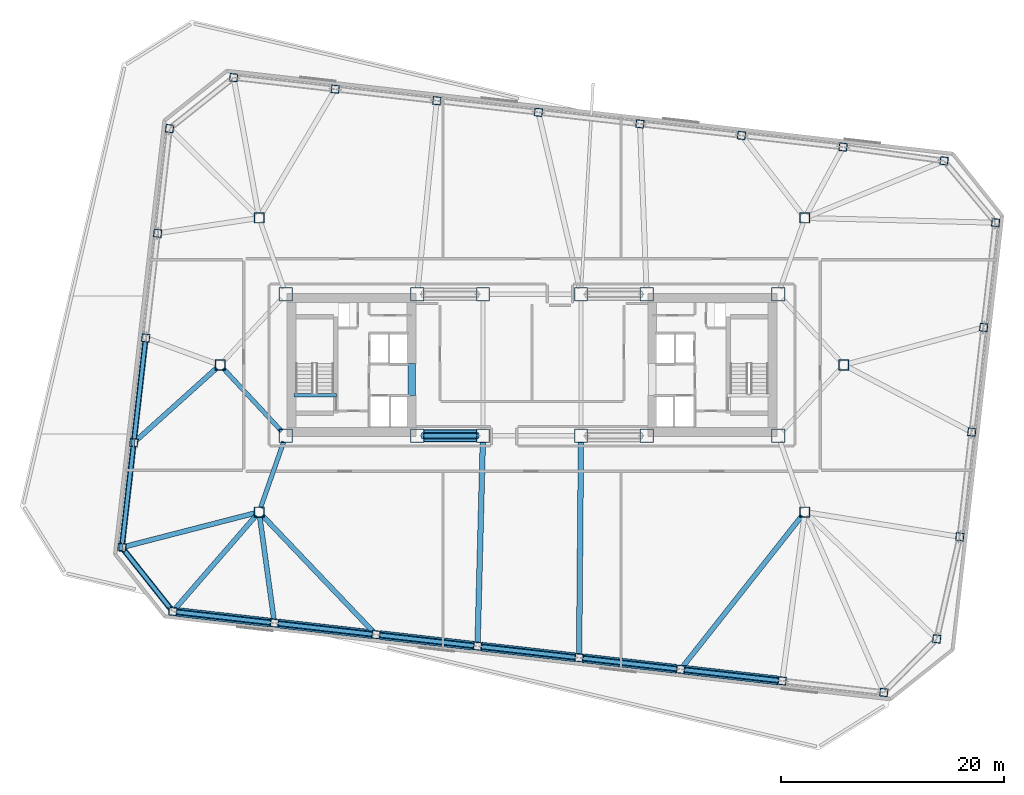
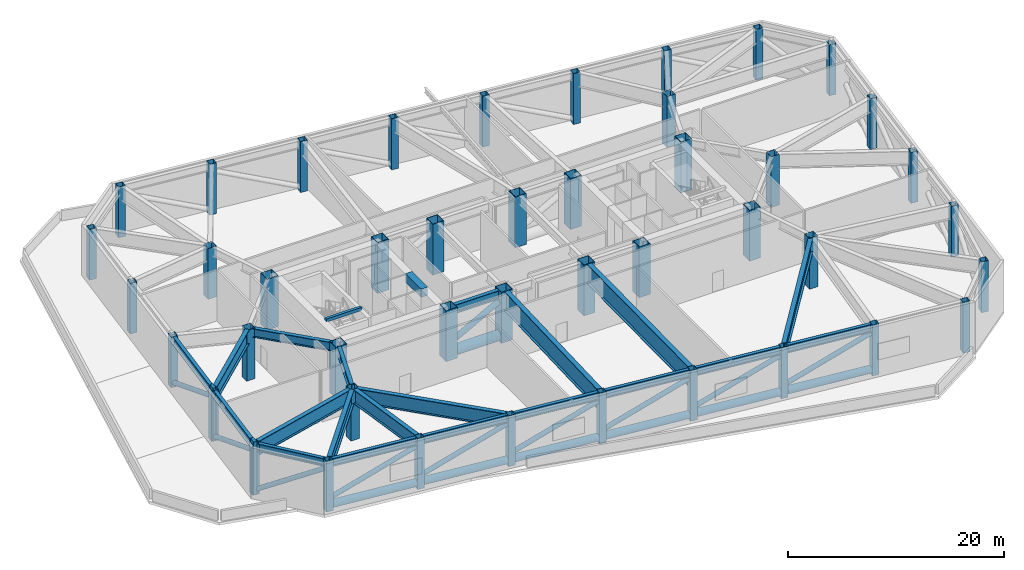
# One storey, part 1 of 14: 44 columns, 22 beams, 19 members.
"""IFC4 building model written with IfcOpenShell, lengths in metres."""

import ifcopenshell
import ifcopenshell.guid

model = None  # the IFC model being written
_history = None  # IfcOwnerHistory: only IFC2X3 demands one
_inside = {}  # id of a spatial element -> (the spatial element, [elements in it])
_under = {}  # id of a project, library or spatial element -> (it, [spatial elements below it])
_declared = {}  # id of a project -> (the project, [libraries it declares])
_typed = {}  # id of a type object -> (the type object, [elements of that type])
_made_of = {}  # id of a material, layer set ... -> (it, [elements and type objects made of it])


def new_model(schema):
    """Start an empty IFC model of exactly this schema.

    Asked for "IFC4X3", IfcOpenShell would pick the latest addendum, in which some entities
    have other attributes; the version numbers below select the first issue.
    IFC2X3 requires an IfcOwnerHistory on every rooted entity: one is made here for all.
    """
    global model, _history
    if schema == "IFC4X3":
        model = ifcopenshell.file(schema_version=(4, 3, 0, 0))
    else:
        model = ifcopenshell.file(schema=schema)
    _inside.clear()
    _under.clear()
    _declared.clear()
    _typed.clear()
    _made_of.clear()
    _history = None
    if model.schema == "IFC2X3":
        org = make("IfcOrganization", Name="unknown")
        user = make(
            "IfcPersonAndOrganization",
            ThePerson=make("IfcPerson", FamilyName="unknown"),
            TheOrganization=org,
        )
        app = make(
            "IfcApplication",
            ApplicationDeveloper=org,
            Version="unknown",
            ApplicationFullName="unknown",
            ApplicationIdentifier="unknown",
        )
        _history = make(
            "IfcOwnerHistory",
            OwningUser=user,
            OwningApplication=app,
            ChangeAction="ADDED",
            CreationDate=0,
        )
    return model


def make(cls, **values):
    """One entity of the class cls with the attributes given. An attribute that is None is left unset."""
    return model.create_entity(
        cls, **{name: value for name, value in values.items() if value is not None}
    )


def rooted(cls, **values):
    """An entity with a GlobalId (a new one), such as an element, a storey or a relation."""
    return make(cls, GlobalId=ifcopenshell.guid.new(), OwnerHistory=_history, **values)


def si_unit(unit_type, name, prefix=None):
    """IfcSIUnit, for example si_unit("LENGTHUNIT", "METRE", prefix="MILLI")."""
    return make("IfcSIUnit", UnitType=unit_type, Prefix=prefix, Name=name)


def assignment(units):
    """IfcUnitAssignment: the units of a project."""
    return None if units is None else make("IfcUnitAssignment", Units=units)


def point(xyz):
    """IfcCartesianPoint."""
    return None if xyz is None else make("IfcCartesianPoint", Coordinates=xyz)


def direction(xyz):
    """IfcDirection."""
    return None if xyz is None else make("IfcDirection", DirectionRatios=xyz)


def frame(location, z_axis=None, x_axis=None):
    """IfcAxis2Placement3D, a coordinate frame: its origin and axes. An axis left out is left unset."""
    return make(
        "IfcAxis2Placement3D",
        Location=point(location),
        Axis=direction(z_axis),
        RefDirection=direction(x_axis),
    )


def frame_2d(location, x_axis=None):
    """IfcAxis2Placement2D, a coordinate frame in the plane: its origin and x axis."""
    return make(
        "IfcAxis2Placement2D", Location=point(location), RefDirection=direction(x_axis)
    )


def origin():
    """The frame at (0, 0, 0) with its axes left unset."""
    return frame((0.0, 0.0, 0.0))


def origin_2d():
    """The frame at (0, 0) in the plane with its x axis left unset."""
    return frame_2d((0.0, 0.0))


def place(relative_to, where):
    """IfcLocalPlacement: puts the frame where relative to a parent placement (None: the world)."""
    return make(
        "IfcLocalPlacement", PlacementRelTo=relative_to, RelativePlacement=where
    )


def context(
    kind, dimensions, precision=None, world=None, true_north=None, identifier=None
):
    """IfcGeometricRepresentationContext, for example the 3D "Model" context."""
    return make(
        "IfcGeometricRepresentationContext",
        ContextIdentifier=identifier,
        ContextType=kind,
        CoordinateSpaceDimension=dimensions,
        Precision=precision,
        WorldCoordinateSystem=world,
        TrueNorth=true_north,
    )


def subcontext(parent, identifier, kind, view, scale=None):
    """IfcGeometricRepresentationSubContext, for example "Body" below "Model"."""
    return make(
        "IfcGeometricRepresentationSubContext",
        ContextIdentifier=identifier,
        ContextType=kind,
        ParentContext=parent,
        TargetScale=scale,
        TargetView=view,
    )


def project(units=None, contexts=None):
    """IfcProject with its units and contexts."""
    return rooted(
        "IfcProject",
        Name="project",
        RepresentationContexts=contexts,
        UnitsInContext=assignment(units),
    )


def spatial(cls, under=None, at=None, **own):
    """A site, building, storey or space (cls), placed at a placement, below another one or the project."""
    s = rooted(cls, ObjectPlacement=at, **own)
    if under is not None:
        _under.setdefault(under.id(), (under, []))[1].append(s)
    return s


def profile(cls, at=None, kind="AREA", **sizes):
    """A parametric profile (cls). Its sizes go by their IFC names, for example OverallWidth=200.0."""
    return make(cls, ProfileType=kind, Position=at, **sizes)


def rectangle(**sizes):
    """IfcRectangleProfileDef."""
    return profile("IfcRectangleProfileDef", **sizes)


def hollow_rectangle(**sizes):
    """IfcRectangleHollowProfileDef."""
    return profile("IfcRectangleHollowProfileDef", **sizes)


def hollow_circle(**sizes):
    """IfcCircleHollowProfileDef."""
    return profile("IfcCircleHollowProfileDef", **sizes)


def i_section(**sizes):
    """IfcIShapeProfileDef."""
    return profile("IfcIShapeProfileDef", **sizes)


def extrude(swept, where, along, depth):
    """IfcExtrudedAreaSolid: the profile swept, set in the frame where, extruded along a direction by depth."""
    return make(
        "IfcExtrudedAreaSolid",
        SweptArea=swept,
        Position=where,
        ExtrudedDirection=direction(along),
        Depth=depth,
    )


def shape(context_of_items, identifier, shape_type, items):
    """IfcShapeRepresentation: the items that make up one representation, for example the "Body"."""
    return make(
        "IfcShapeRepresentation",
        ContextOfItems=context_of_items,
        RepresentationIdentifier=identifier,
        RepresentationType=shape_type,
        Items=items,
    )


def material(Name=None, Category=None):
    """IfcMaterial."""
    return make("IfcMaterial", Name=Name, Category=Category)


def material_profile(
    of_material, cross_section, Name=None, Category=None, Priority=None
):
    """IfcMaterialProfile: a cross section and its material."""
    return make(
        "IfcMaterialProfile",
        Name=Name,
        Material=of_material,
        Profile=cross_section,
        Priority=Priority,
        Category=Category,
    )


def profile_set(profiles, Name=None, composite=None):
    """IfcMaterialProfileSet."""
    return make(
        "IfcMaterialProfileSet",
        Name=Name,
        MaterialProfiles=profiles,
        CompositeProfile=composite,
    )


def made_of(thing, what):
    """Note that an element or type object is made of a material, layer set ...; save() writes the relation."""
    if what is not None:
        _made_of.setdefault(what.id(), (what, []))[1].append(thing)
    return thing


def type_object(cls, material=None, **own):
    """A type object (cls), such as IfcWallType, which elements share."""
    return made_of(rooted(cls, **own), material)


def element(
    cls,
    number,
    at=None,
    inside=None,
    cuts=None,
    type_object=None,
    material=None,
    context=None,
    identifier="Body",
    shape_type=None,
    held_by="IfcProductDefinitionShape",
    body=None,
    shapes=None,
    **own,
):
    """One element of the class cls, such as IfcWall. Its Tag is "e" and its number.

    at: its placement. inside: the storey or other place that contains it. cuts: it is an
    opening in that element (IfcRelVoidsElement). A single representation is given by context,
    identifier, shape_type and body (its items); several are given by shapes. held_by: the class
    of the entity that holds the representations. save() writes the other relations.
    """
    e = rooted(cls, Tag="e%d" % number, ObjectPlacement=at, **own)
    if body is not None:
        shapes = [shape(context, identifier, shape_type, body)]
    if shapes is not None:
        e.Representation = make(held_by, Representations=shapes)
    if inside is not None:
        _inside.setdefault(inside.id(), (inside, []))[1].append(e)
    if cuts is not None:
        rooted(
            "IfcRelVoidsElement", RelatingBuildingElement=cuts, RelatedOpeningElement=e
        )
    if type_object is not None:
        _typed.setdefault(type_object.id(), (type_object, []))[1].append(e)
    return made_of(e, material)


def aggregate(whole, parts):
    """IfcRelAggregates: a whole, such as a stair, and the parts it consists of."""
    return rooted("IfcRelAggregates", RelatingObject=whole, RelatedObjects=parts)


def save(model, path):
    """Write the relations noted so far, then the file.

    IfcRelAggregates (storeys below a building ...), IfcRelContainedInSpatialStructure (elements
    in a storey), IfcRelDefinesByType, IfcRelAssociatesMaterial and IfcRelDeclares: one each for
    every whole, place, type object, material and project.
    """
    for whole, parts in _under.values():
        aggregate(whole, parts)
    for where, things in _inside.values():
        rooted(
            "IfcRelContainedInSpatialStructure",
            RelatedElements=things,
            RelatingStructure=where,
        )
    for kind, things in _typed.values():
        rooted("IfcRelDefinesByType", RelatedObjects=things, RelatingType=kind)
    for what, things in _made_of.values():
        rooted("IfcRelAssociatesMaterial", RelatedObjects=things, RelatingMaterial=what)
    for by, libraries in _declared.values():
        rooted("IfcRelDeclares", RelatingContext=by, RelatedDefinitions=libraries)
    model.write(path)


model = new_model("IFC4")

# Units and contexts
model_context = context("Model", 3, precision=1e-05, world=origin(), true_north=direction((0.0, 1.0)))
body_context = subcontext(model_context, "Body", "Model", "MODEL_VIEW")
ifc_project = project(units=[si_unit("LENGTHUNIT", "METRE"), si_unit("AREAUNIT", "SQUARE_METRE"), si_unit("VOLUMEUNIT", "CUBIC_METRE"), si_unit("PLANEANGLEUNIT", "RADIAN"), si_unit("MASSUNIT", "GRAM", prefix="KILO")], contexts=[model_context])

# Site, building, storey
site_placement = place(None, origin())
site = spatial("IfcSite", under=ifc_project, at=site_placement, CompositionType="ELEMENT")
building_placement = place(site_placement, origin())
building = spatial("IfcBuilding", under=site, at=building_placement, Name="Tavrogorsk Clinical Tower", CompositionType="ELEMENT")
storey_placement = place(building_placement, frame((0.0, 0.0, 83.39990234375)))
storey = spatial("IfcBuildingStorey", under=building, at=storey_placement, Name="L18", CompositionType="ELEMENT", Elevation=83.39990234375)

# Columns
ifc_material_1 = material(Name="Structural steel S440", Category="steel")
ifc_material_profile_1 = material_profile(ifc_material_1, hollow_rectangle(XDim=1.199951171875, YDim=1.199951171875, WallThickness=0.050048828125, at=origin_2d()), Name="BOX-1200x1200x50")
ifc_profile_set_1 = profile_set([ifc_material_profile_1], Name="Structural steel S440")
column_type_1 = type_object("IfcColumnType", Name="MegaCol_BOX1200", PredefinedType="COLUMN", material=ifc_profile_set_1)
for number, where, z_axis, x_axis, name in (
    (1, (-22.10009765625, -6.35009765625, 0.0), (0.0, 0.0, 1.0), (1.0, 0.0, 0.0), "L18 Mega Column MC-W1"),
    (2, (-22.10009765625, 6.35009765625, 0.0), (0.0, 0.0, 1.0), (1.0, 0.0, 0.0), "L18 Mega Column MC-W2"),
    (3, (-10.300048828125, -6.35009765625, 0.0), (0.0, 0.0, 1.0), (1.0, 0.0, 0.0), "L18 Mega Column MC-W3"),
    (4, (-10.300048828125, 6.35009765625, 0.0), (0.0, 0.0, 1.0), (1.0, 0.0, 0.0), "L18 Mega Column MC-W4"),
    (5, (10.300048828125, -6.35009765625, 0.0), (0.0, 0.0, 1.0), (1.0, 0.0, 0.0), "L18 Mega Column MC-E1"),
    (6, (10.300048828125, 6.35009765625, 0.0), (0.0, 0.0, 1.0), (1.0, 0.0, 0.0), "L18 Mega Column MC-E2"),
    (7, (22.10009765625, -6.35009765625, 0.0), (0.0, 0.0, 1.0), (1.0, 0.0, 0.0), "L18 Mega Column MC-E3"),
    (8, (22.10009765625, 6.35009765625, 0.0), (0.0, 0.0, 1.0), (1.0, 0.0, 0.0), "L18 Mega Column MC-E4"),
    (9, (-4.39990234375, -6.35009765625, 0.0), (0.0, 0.0, 1.0), (1.0, 0.0, 0.0), "L18 Mega Column MC-C1"),
    (10, (4.39990234375, -6.35009765625, 0.0), (0.0, 0.0, 1.0), (1.0, 0.0, 0.0), "L18 Mega Column MC-C2"),
    (11, (-4.39990234375, 6.35009765625, 0.0), (0.0, 0.0, 1.0), (1.0, 0.0, 0.0), "L18 Mega Column MC-C3"),
    (12, (4.39990234375, 6.35009765625, 0.0), (0.0, 0.0, 1.0), (1.0, 0.0, 0.0), "L18 Mega Column MC-C4"),
):
    element("IfcColumn", number, at=place(storey_placement, frame(where, z_axis=z_axis, x_axis=x_axis)), inside=storey, type_object=column_type_1, Name=name, PredefinedType="COLUMN", context=body_context, shape_type="SweptSolid", body=[
        extrude(hollow_rectangle(XDim=1.199951171875, YDim=1.199951171875, WallThickness=0.050048828125, at=origin_2d()), origin(), (0.0, 0.0, 1.0), 5.739990234375),
    ])
ifc_material_2 = material(Name="Structural steel S440", Category="steel")
ifc_material_profile_2 = material_profile(ifc_material_2, hollow_rectangle(XDim=0.89990234375, YDim=0.89990234375, WallThickness=0.0400390625, at=origin_2d()), Name="BOX-900x900x40")
ifc_profile_set_2 = profile_set([ifc_material_profile_2], Name="Structural steel S440")
column_type_2 = type_object("IfcColumnType", Name="MegaCol_BOX900", PredefinedType="COLUMN", material=ifc_profile_set_2)
for number, where, z_axis, x_axis, name in (
    (13, (-24.5, -13.199951171875, 0.0), (0.0, 0.0, 1.0), (1.0, 0.0, 0.0), "L18 Spine Pilotis Column MC-P1"),
    (14, (24.5, -13.199951171875, 0.0), (0.0, 0.0, 1.0), (1.0, 0.0, 0.0), "L18 Spine Pilotis Column MC-P2"),
    (15, (-24.5, 13.199951171875, 0.0), (0.0, 0.0, 1.0), (1.0, 0.0, 0.0), "L18 Spine Pilotis Column MC-P3"),
    (16, (24.5, 13.199951171875, 0.0), (0.0, 0.0, 1.0), (1.0, 0.0, 0.0), "L18 Spine Pilotis Column MC-P4"),
    (17, (-28.0, 0.0, 0.0), (0.0, 0.0, 1.0), (1.0, 0.0, 0.0), "L18 Spine Pilotis Column MC-P5"),
    (18, (28.0, 0.0, 0.0), (0.0, 0.0, 1.0), (1.0, 0.0, 0.0), "L18 Spine Pilotis Column MC-P6"),
):
    element("IfcColumn", number, at=place(storey_placement, frame(where, z_axis=z_axis, x_axis=x_axis)), inside=storey, type_object=column_type_2, Name=name, PredefinedType="COLUMN", context=body_context, shape_type="SweptSolid", body=[
        extrude(hollow_rectangle(XDim=0.89990234375, YDim=0.89990234375, WallThickness=0.0400390625, at=origin_2d()), origin(), (0.0, 0.0, 1.0), 5.739990234375),
    ])
ifc_material_3 = material(Name="Structural steel S440", Category="steel")
ifc_material_profile_3 = material_profile(ifc_material_3, hollow_rectangle(XDim=0.699951171875, YDim=0.699951171875, WallThickness=0.031982421875, at=origin_2d()), Name="BOX-700x700x32")
ifc_profile_set_3 = profile_set([ifc_material_profile_3], Name="Structural steel S440")
column_type_3 = type_object("IfcColumnType", Name="PerimCol_B2_BOX700", PredefinedType="COLUMN", material=ifc_profile_set_3)
for number, where, z_axis, x_axis, name in (
    (19, (-32.243896484375, -22.12890625, 0.0), (0.0, 0.0, 1.0), (0.993571855677, -0.113203213768, 0.0), "L18 Perimeter Column S1"),
    (20, (-23.1259765625, -23.167724609375, 0.0), (0.0, 0.0, 1.0), (0.993571855677, -0.113203213768, 0.0), "L18 Perimeter Column S2"),
    (21, (-14.0078125, -24.20654296875, 0.0), (0.0, 0.0, 1.0), (0.993571855677, -0.113203213768, 0.0), "L18 Perimeter Column S3"),
    (22, (-4.8896484375, -25.24560546875, 0.0), (0.0, 0.0, 1.0), (0.993571855677, -0.113203213768, 0.0), "L18 Perimeter Column S4"),
    (23, (4.228515625, -26.284423828125, 0.0), (0.0, 0.0, 1.0), (0.993571855677, -0.113203213768, 0.0), "L18 Perimeter Column S5"),
    (24, (13.3466796875, -27.3232421875, 0.0), (0.0, 0.0, 1.0), (0.993571855677, -0.113203213768, 0.0), "L18 Perimeter Column S6"),
    (25, (22.465087890625, -28.3623046875, 0.0), (0.0, 0.0, 1.0), (0.993571855677, -0.113203213768, 0.0), "L18 Perimeter Column S7"),
    (26, (31.5830078125, -29.40087890625, 0.0), (0.0, 0.0, 1.0), (0.993571855677, -0.113203213768, 0.0), "L18 Perimeter Column S8"),
    (27, (36.99658203125, 18.323486328125, 0.0), (0.0, 0.0, 1.0), (0.993571855677, -0.113203213768, 0.0), "L18 Perimeter Column N1"),
    (28, (27.92578125, 19.567626953125, 0.0), (0.0, 0.0, 1.0), (0.993571855677, -0.113203213768, 0.0), "L18 Perimeter Column N2"),
    (29, (18.8076171875, 20.606689453125, 0.0), (0.0, 0.0, 1.0), (0.993571855677, -0.113203213768, 0.0), "L18 Perimeter Column N3"),
    (30, (9.689697265625, 21.6455078125, 0.0), (0.0, 0.0, 1.0), (0.993571855677, -0.113203213768, 0.0), "L18 Perimeter Column N4"),
    (31, (0.5712890625, 22.684326171875, 0.0), (0.0, 0.0, 1.0), (0.993571855677, -0.113203213768, 0.0), "L18 Perimeter Column N5"),
    (32, (-8.546875, 23.723388671875, 0.0), (0.0, 0.0, 1.0), (0.993571855677, -0.113203213768, 0.0), "L18 Perimeter Column N6"),
    (33, (-17.6650390625, 24.76220703125, 0.0), (0.0, 0.0, 1.0), (0.993571855677, -0.113203213768, 0.0), "L18 Perimeter Column N7"),
    (34, (-26.783203125, 25.801025390625, 0.0), (0.0, 0.0, 1.0), (0.993571855677, -0.113203213768, 0.0), "L18 Perimeter Column N8"),
    (35, (36.335693359375, -24.591796875, 0.0), (0.0, 0.0, 1.0), (0.993571855677, -0.113203213768, 0.0), "L18 Perimeter Column E1"),
    (36, (38.4091796875, -15.423828125, 0.0), (0.0, 0.0, 1.0), (0.993571855677, -0.113203213768, 0.0), "L18 Perimeter Column E2"),
    (37, (39.47998046875, -6.024658203125, 0.0), (0.0, 0.0, 1.0), (0.993571855677, -0.113203213768, 0.0), "L18 Perimeter Column E3"),
    (38, (40.551025390625, 3.37451171875, 0.0), (0.0, 0.0, 1.0), (0.993571855677, -0.113203213768, 0.0), "L18 Perimeter Column E4"),
    (39, (41.621826171875, 12.773681640625, 0.0), (0.0, 0.0, 1.0), (0.993571855677, -0.113203213768, 0.0), "L18 Perimeter Column E5"),
    (40, (-32.538330078125, 21.22314453125, 0.0), (0.0, 0.0, 1.0), (0.993571855677, -0.113203213768, 0.0), "L18 Perimeter Column W1"),
    (41, (-33.609130859375, 11.823974609375, 0.0), (0.0, 0.0, 1.0), (0.993571855677, -0.113203213768, 0.0), "L18 Perimeter Column W2"),
    (42, (-34.68017578125, 2.4248046875, 0.0), (0.0, 0.0, 1.0), (0.993571855677, -0.113203213768, 0.0), "L18 Perimeter Column W3"),
    (43, (-35.7509765625, -6.974365234375, 0.0), (0.0, 0.0, 1.0), (0.993571855677, -0.113203213768, 0.0), "L18 Perimeter Column W4"),
    (44, (-36.822021484375, -16.37353515625, 0.0), (0.0, 0.0, 1.0), (0.993571855677, -0.113203213768, 0.0), "L18 Perimeter Column W5"),
):
    element("IfcColumn", number, at=place(storey_placement, frame(where, z_axis=z_axis, x_axis=x_axis)), inside=storey, type_object=column_type_3, Name=name, PredefinedType="COLUMN", context=body_context, shape_type="SweptSolid", body=[
        extrude(hollow_rectangle(XDim=0.699951171875, YDim=0.699951171875, WallThickness=0.031982421875, at=origin_2d()), origin(), (0.0, 0.0, 1.0), 5.739990234375),
    ])

# Beam
ifc_material_4 = material(Name="Concrete B80", Category="concrete")
ifc_material_profile_4 = material_profile(ifc_material_4, rectangle(XDim=0.699951171875, YDim=0.949951171875, at=origin_2d()), Name="RC-CB-700x950")
ifc_profile_set_4 = profile_set([ifc_material_profile_4], Name="Concrete B80")
beam_type_1 = type_object("IfcBeamType", Name="CouplingBeam_RC700x950", PredefinedType="LINTEL", material=ifc_profile_set_4)
beam_1_placement = place(storey_placement, frame((-10.800048828125, -2.75, 5.26513671875), z_axis=(0.0, 1.0, 0.0), x_axis=(-1.0, 0.0, 0.0)))
element("IfcBeam", 45, at=beam_1_placement, inside=storey, type_object=beam_type_1, Name="L18 Core West Coupling Beam", PredefinedType="LINTEL", context=body_context, shape_type="SweptSolid", body=[
    extrude(rectangle(XDim=0.699951171875, YDim=0.949951171875, at=origin_2d()), origin(), (0.0, 0.0, 1.0), 2.89990234375),
])

# Members
ifc_material_5 = material(Name="Structural steel S440", Category="steel")
ifc_material_profile_5 = material_profile(ifc_material_5, hollow_circle(Radius=0.25390625, WallThickness=0.02001953125, at=origin_2d()), Name="CHS-508x20")
ifc_profile_set_5 = profile_set([ifc_material_profile_5], Name="Structural steel S440")
member_type_1 = type_object("IfcMemberType", Name="ExoBrace_CHS508", PredefinedType="BRACE", material=ifc_profile_set_5)
for number, where, z_axis, x_axis, name in (
    (46, (-31.912109375, -22.166748046875, 1.37890625), (0.926990393768, -0.105604467453, 0.359911803523), (0.113189726315, 0.993573392285, 0.0), "L18 Exoskeleton Belt Diagonal S1-S2"),
    (47, (-22.7939453125, -23.20556640625, 1.37890625), (0.926990393768, -0.105604467453, 0.359911803523), (0.113189726315, 0.993573392285, 0.0), "L18 Exoskeleton Belt Diagonal S2-S3"),
    (48, (-13.67578125, -24.244384765625, 1.37890625), (0.926987772895, -0.105630937995, 0.359910785947), (0.113218050524, 0.99357016513, 0.0), "L18 Exoskeleton Belt Diagonal S3-S4"),
):
    element("IfcMember", number, at=place(storey_placement, frame(where, z_axis=z_axis, x_axis=x_axis)), inside=storey, type_object=member_type_1, Name=name, PredefinedType="BRACE", context=body_context, shape_type="SweptSolid", body=[
        extrude(hollow_circle(Radius=0.25390625, WallThickness=0.02001953125, at=origin_2d()), origin(), (0.0, 0.0, 1.0), 9.1201171875),
    ])
member_1_placement = place(storey_placement, frame((-4.557861328125, -25.283203125, 1.37890625), z_axis=(0.926991539, -0.105628316861, 0.359901855093), x_axis=(0.113214823067, 0.993570532895, 0.0)))
element("IfcMember", 49, at=member_1_placement, inside=storey, type_object=member_type_1, Name="L18 Exoskeleton Belt Diagonal S4-S5", PredefinedType="BRACE", context=body_context, shape_type="SweptSolid", body=[
    extrude(hollow_circle(Radius=0.25390625, WallThickness=0.02001953125, at=origin_2d()), origin(), (0.0, 0.0, 1.0), 9.120361328125),
])
for number, where, z_axis, x_axis, name in (
    (50, (4.560546875, -26.322265625, 1.37890625), (0.926990393768, -0.105604467453, 0.359911803523), (0.113189726315, 0.993573392285, 0.0), "L18 Exoskeleton Belt Diagonal S5-S6"),
    (51, (13.6787109375, -27.361083984375, 1.37890625), (0.926987772895, -0.105630937995, 0.359910785947), (0.113218050524, 0.99357016513, 0.0), "L18 Exoskeleton Belt Diagonal S6-S7"),
):
    element("IfcMember", number, at=place(storey_placement, frame(where, z_axis=z_axis, x_axis=x_axis)), inside=storey, type_object=member_type_1, Name=name, PredefinedType="BRACE", context=body_context, shape_type="SweptSolid", body=[
        extrude(hollow_circle(Radius=0.25390625, WallThickness=0.02001953125, at=origin_2d()), origin(), (0.0, 0.0, 1.0), 9.1201171875),
    ])
for number, where, z_axis, x_axis, name in (
    (52, (-34.716796875, 2.102783203125, 0.502197265625), (-0.102481348116, -0.899433094661, 0.424873724201), (0.993571372176, -0.113207457313, 0.0), "L18 Exoskeleton Belt Diagonal W3-W4"),
    (53, (-35.78759765625, -7.29638671875, 0.502197265625), (-0.102481348116, -0.899433094661, 0.424873724201), (0.993571372176, -0.113207457313, 0.0), "L18 Exoskeleton Belt Diagonal W4-W5"),
):
    element("IfcMember", number, at=place(storey_placement, frame(where, z_axis=z_axis, x_axis=x_axis)), inside=storey, type_object=member_type_1, Name=name, PredefinedType="BRACE", context=body_context, shape_type="SweptSolid", body=[
        extrude(hollow_circle(Radius=0.25390625, WallThickness=0.02001953125, at=origin_2d()), origin(), (0.0, 0.0, 1.0), 9.734130859375),
    ])
member_2_placement = place(storey_placement, frame((-36.631103515625, -16.613525390625, 0.53515625), z_axis=(0.532909332134, -0.669981251925, 0.516848881003), x_axis=(0.782618297451, 0.622501887944, 0.0)))
element("IfcMember", 54, at=member_2_placement, inside=storey, type_object=member_type_1, Name="L18 Exoskeleton Belt Diagonal W5-S1", PredefinedType="BRACE", context=body_context, shape_type="SweptSolid", body=[
    extrude(hollow_circle(Radius=0.25390625, WallThickness=0.02001953125, at=origin_2d()), origin(), (0.0, 0.0, 1.0), 7.874267578125),
])
ifc_material_6 = material(Name="Structural steel S440", Category="steel")
ifc_material_profile_6 = material_profile(ifc_material_6, hollow_circle(Radius=0.406494140625, WallThickness=0.031982421875, at=origin_2d()), Name="CHS-813x32")
ifc_profile_set_6 = profile_set([ifc_material_profile_6], Name="Structural steel S440")
member_type_2 = type_object("IfcMemberType", Name="ExoChord_CHS813", PredefinedType="CHORD", material=ifc_profile_set_6)
member_3_placement = place(storey_placement, frame((-31.88818359375, -22.16943359375, 0.580078125), z_axis=(0.99357232562, -0.113199089054, 0.0), x_axis=(0.113199089054, 0.99357232562, 0.0)))
element("IfcMember", 55, at=member_3_placement, inside=storey, type_object=member_type_2, Name="L18 Exoskeleton Belt Chord S1-S2", PredefinedType="CHORD", context=body_context, shape_type="SweptSolid", body=[
    extrude(hollow_circle(Radius=0.406494140625, WallThickness=0.031982421875, at=origin_2d()), origin(), (0.0, 0.0, 1.0), 8.4609375),
])
member_4_placement = place(storey_placement, frame((-22.770263671875, -23.208251953125, 0.580078125), z_axis=(0.99357306506, -0.113192598642, 0.0), x_axis=(0.113192598642, 0.99357306506, 0.0)))
element("IfcMember", 56, at=member_4_placement, inside=storey, type_object=member_type_2, Name="L18 Exoskeleton Belt Chord S2-S3", PredefinedType="CHORD", context=body_context, shape_type="SweptSolid", body=[
    extrude(hollow_circle(Radius=0.406494140625, WallThickness=0.031982421875, at=origin_2d()), origin(), (0.0, 0.0, 1.0), 8.46142578125),
])
for number, where, z_axis, x_axis, name in (
    (57, (-13.652099609375, -24.2470703125, 0.580078125), (0.993569449752, -0.113224328304, 0.0), (0.113224328304, 0.993569449752, 0.0), "L18 Exoskeleton Belt Chord S3-S4"),
    (58, (-4.533935546875, -25.2861328125, 0.580078125), (0.993572695356, -0.113195843756, 0.0), (0.113195843756, 0.993572695356, 0.0), "L18 Exoskeleton Belt Chord S4-S5"),
):
    element("IfcMember", number, at=place(storey_placement, frame(where, z_axis=z_axis, x_axis=x_axis)), inside=storey, type_object=member_type_2, Name=name, PredefinedType="CHORD", context=body_context, shape_type="SweptSolid", body=[
        extrude(hollow_circle(Radius=0.406494140625, WallThickness=0.031982421875, at=origin_2d()), origin(), (0.0, 0.0, 1.0), 8.461181640625),
    ])
for number, where, z_axis, x_axis, name in (
    (59, (4.584228515625, -26.324951171875, 0.580078125), (0.99357306506, -0.113192598642, 0.0), (0.113192598642, 0.99357306506, 0.0), "L18 Exoskeleton Belt Chord S5-S6"),
    (60, (13.702392578125, -27.36376953125, 0.580078125), (0.993569819641, -0.113221082395, 0.0), (0.113221082395, 0.993569819641, 0.0), "L18 Exoskeleton Belt Chord S6-S7"),
):
    element("IfcMember", number, at=place(storey_placement, frame(where, z_axis=z_axis, x_axis=x_axis)), inside=storey, type_object=member_type_2, Name=name, PredefinedType="CHORD", context=body_context, shape_type="SweptSolid", body=[
        extrude(hollow_circle(Radius=0.406494140625, WallThickness=0.031982421875, at=origin_2d()), origin(), (0.0, 0.0, 1.0), 8.46142578125),
    ])
ifc_material_7 = material(Name="Precast concrete B45 with limestone cladding", Category="masonry")
ifc_material_profile_7 = material_profile(ifc_material_7, rectangle(XDim=0.320068359375, YDim=0.719970703125, at=origin_2d()), Name="LIMESTONE-FIN-320x720")
ifc_profile_set_7 = profile_set([ifc_material_profile_7], Name="Precast concrete B45 with limestone cladding")
member_type_3 = type_object("IfcMemberType", Name="LimestonePleatFin_320x720", PredefinedType="USERDEFINED", material=ifc_profile_set_7)
for number, where, z_axis, x_axis, name in (
    (61, (-35.83056640625, -6.96533203125, 0.0), (0.0, 0.0, 1.0), (0.993571855677, -0.113203213768, 0.0), "L18 W Pleated Stone Fin 3"),
    (62, (-36.9013671875, -16.364501953125, 0.0), (0.0, 0.0, 1.0), (0.993571855677, -0.113203213768, 0.0), "L18 W Pleated Stone Fin 4"),
):
    element("IfcMember", number, at=place(storey_placement, frame(where, z_axis=z_axis, x_axis=x_axis)), inside=storey, type_object=member_type_3, Name=name, ObjectType="FIN", PredefinedType="USERDEFINED", context=body_context, shape_type="SweptSolid", body=[
        extrude(rectangle(XDim=0.320068359375, YDim=0.719970703125, at=origin_2d()), origin(), (0.0, 0.0, 1.0), 6.0),
    ])
ifc_material_8 = material(Name="Structural steel S440", Category="steel")
ifc_material_profile_8 = material_profile(ifc_material_8, hollow_circle(Radius=0.550048828125, WallThickness=0.0400390625, at=origin_2d()), Name="CHS-1100x40")
ifc_profile_set_8 = profile_set([ifc_material_profile_8], Name="Structural steel S440")
member_type_4 = type_object("IfcMemberType", Name="OutriggerChord_CHS1100", PredefinedType="CHORD", material=ifc_profile_set_8)
member_5_placement = place(storey_placement, frame((-9.739990234375, -6.35009765625, 0.580078125), z_axis=(1.0, 0.0, 0.0), x_axis=(0.0, 1.0, 0.0)))
element("IfcMember", 63, at=member_5_placement, inside=storey, type_object=member_type_4, Name="L18 Outrigger Bottom Chord 01", PredefinedType="CHORD", context=body_context, shape_type="SweptSolid", body=[
    extrude(hollow_circle(Radius=0.550048828125, WallThickness=0.0400390625, at=origin_2d()), origin(), (0.0, 0.0, 1.0), 4.780029296875),
])
ifc_material_9 = material(Name="Structural steel S440", Category="steel")
ifc_material_profile_9 = material_profile(ifc_material_9, hollow_circle(Radius=0.304931640625, WallThickness=0.02490234375, at=origin_2d()), Name="CHS-610x25")
ifc_profile_set_9 = profile_set([ifc_material_profile_9], Name="Structural steel S440")
member_type_5 = type_object("IfcMemberType", Name="OutriggerDiag_CHS610", PredefinedType="BRACE", material=ifc_profile_set_9)
member_6_placement = place(storey_placement, frame((-9.80810546875, -6.35009765625, 1.747802734375), z_axis=(0.878423507925, 0.0, 0.477882978066), x_axis=(0.0, 1.0, 0.0)))
element("IfcMember", 64, at=member_6_placement, inside=storey, type_object=member_type_5, Name="L18 Outrigger Diagonal 01", PredefinedType="BRACE", context=body_context, shape_type="SweptSolid", body=[
    extrude(hollow_circle(Radius=0.304931640625, WallThickness=0.02490234375, at=origin_2d()), origin(), (0.0, 0.0, 1.0), 5.5966796875),
])

# Beams
ifc_material_10 = material(Name="Concrete B60", Category="concrete")
ifc_material_profile_10 = material_profile(ifc_material_10, rectangle(XDim=0.300048828125, YDim=0.35009765625, at=origin_2d()), Name="RC-SHB-300x350")
ifc_profile_set_10 = profile_set([ifc_material_profile_10], Name="Concrete B60")
beam_type_2 = type_object("IfcBeamType", Name="StairHeaderBeam_RC300x350", PredefinedType="BEAM", material=ifc_profile_set_10)
beam_2_placement = place(storey_placement, frame((-21.35009765625, -2.719970703125, 5.8251953125), z_axis=(1.0, 0.0, 0.0), x_axis=(0.0, 1.0, 0.0)))
element("IfcBeam", 65, at=beam_2_placement, inside=storey, type_object=beam_type_2, Name="L19 ST-W Landing Header Beam", PredefinedType="BEAM", context=body_context, shape_type="SweptSolid", body=[
    extrude(rectangle(XDim=0.300048828125, YDim=0.35009765625, at=origin_2d()), origin(), (0.0, 0.0, 1.0), 3.800048828125),
])
ifc_material_11 = material(Name="Structural steel S440", Category="steel")
ifc_material_profile_11 = material_profile(ifc_material_11, i_section(OverallWidth=0.39990234375, OverallDepth=1.0, WebThickness=0.028076171875, FlangeThickness=0.044921875, at=origin_2d()), Name="DK-1000x400x28x45")
ifc_profile_set_11 = profile_set([ifc_material_profile_11], Name="Structural steel S440")
beam_type_3 = type_object("IfcBeamType", Name="TransferGirder_DK1000", PredefinedType="USERDEFINED", material=ifc_profile_set_11)
beam_3_placement = place(storey_placement, frame((-9.739990234375, -6.35009765625, 5.239990234375), z_axis=(1.0, 0.0, 0.0), x_axis=(0.0, 1.0, 0.0)))
element("IfcBeam", 66, at=beam_3_placement, inside=storey, type_object=beam_type_3, Name="L18 Primary Spine Girder MG-01", ObjectType="GIRDER", PredefinedType="USERDEFINED", context=body_context, shape_type="SweptSolid", body=[
    extrude(i_section(OverallWidth=0.39990234375, OverallDepth=1.0, WebThickness=0.028076171875, FlangeThickness=0.044921875, at=origin_2d()), origin(), (0.0, 0.0, 1.0), 4.780029296875),
])
beam_4_placement = place(storey_placement, frame((-24.364501953125, -12.81298828125, 5.239990234375), z_axis=(0.330668611543, 0.943746930771, 0.0), x_axis=(-0.943746930771, 0.330668611543, 0.0)))
element("IfcBeam", 67, at=beam_4_placement, inside=storey, type_object=beam_type_3, Name="L18 Spine Link Girder OPG-1", ObjectType="GIRDER", PredefinedType="USERDEFINED", context=body_context, shape_type="SweptSolid", body=[
    extrude(i_section(OverallWidth=0.39990234375, OverallDepth=1.0, WebThickness=0.028076171875, FlangeThickness=0.044921875, at=origin_2d()), origin(), (0.0, 0.0, 1.0), 6.288330078125),
])
beam_5_placement = place(storey_placement, frame((-27.720947265625, -0.30029296875, 5.239990234375), z_axis=(0.680671250221, -0.732589004233, 0.0), x_axis=(0.732589004233, 0.680671250221, 0.0)))
element("IfcBeam", 68, at=beam_5_placement, inside=storey, type_object=beam_type_3, Name="L18 Spine Link Girder OPG-5", ObjectType="GIRDER", PredefinedType="USERDEFINED", context=body_context, shape_type="SweptSolid", body=[
    extrude(i_section(OverallWidth=0.39990234375, OverallDepth=1.0, WebThickness=0.028076171875, FlangeThickness=0.044921875, at=origin_2d()), origin(), (0.0, 0.0, 1.0), 7.697998046875),
])
ifc_material_12 = material(Name="Structural steel S440", Category="steel")
ifc_material_profile_12 = material_profile(ifc_material_12, i_section(OverallWidth=0.449951171875, OverallDepth=1.60009765625, WebThickness=0.031982421875, FlangeThickness=0.050048828125, at=origin_2d()), Name="DK-1600x450x32x50")
ifc_profile_set_12 = profile_set([ifc_material_profile_12], Name="Structural steel S440")
beam_type_4 = type_object("IfcBeamType", Name="TransferGirder_DK1600", PredefinedType="USERDEFINED", material=ifc_profile_set_12)
beam_6_placement = place(storey_placement, frame((-24.7685546875, -13.509765625, 4.940185546875), z_axis=(-0.655213926096, -0.755443387058, 0.0), x_axis=(0.755443387058, -0.655213926096, 0.0)))
element("IfcBeam", 69, at=beam_6_placement, inside=storey, type_object=beam_type_4, Name="L18 Radial Floor Beam S1", ObjectType="GIRDER", PredefinedType="USERDEFINED", context=body_context, shape_type="SweptSolid", body=[
    extrude(i_section(OverallWidth=0.449951171875, OverallDepth=1.60009765625, WebThickness=0.031982421875, FlangeThickness=0.050048828125, at=origin_2d()), origin(), (0.0, 0.0, 1.0), 11.05126953125),
])
beam_7_placement = place(storey_placement, frame((-24.444091796875, -13.606201171875, 4.940185546875), z_axis=(0.136572505989, -0.990630077581, 0.0), x_axis=(0.990630077581, 0.136572505989, 0.0)))
element("IfcBeam", 70, at=beam_7_placement, inside=storey, type_object=beam_type_4, Name="L18 Radial Floor Beam S2", ObjectType="GIRDER", PredefinedType="USERDEFINED", context=body_context, shape_type="SweptSolid", body=[
    extrude(i_section(OverallWidth=0.449951171875, OverallDepth=1.60009765625, WebThickness=0.031982421875, FlangeThickness=0.050048828125, at=origin_2d()), origin(), (0.0, 0.0, 1.0), 9.2939453125),
])
beam_8_placement = place(storey_placement, frame((-24.217041015625, -13.496826171875, 4.940185546875), z_axis=(0.689995410805, -0.723813741972, 0.0), x_axis=(0.723813741972, 0.689995410805, 0.0)))
element("IfcBeam", 71, at=beam_8_placement, inside=storey, type_object=beam_type_4, Name="L18 Radial Floor Beam S3", ObjectType="GIRDER", PredefinedType="USERDEFINED", context=body_context, shape_type="SweptSolid", body=[
    extrude(i_section(OverallWidth=0.449951171875, OverallDepth=1.60009765625, WebThickness=0.031982421875, FlangeThickness=0.050048828125, at=origin_2d()), origin(), (0.0, 0.0, 1.0), 14.4384765625),
])
beam_9_placement = place(storey_placement, frame((24.245849609375, -13.521728515625, 4.940185546875), z_axis=(-0.619757312108, -0.784793523221, 0.0), x_axis=(0.784793523221, -0.619757312108, 0.0)))
element("IfcBeam", 72, at=beam_9_placement, inside=storey, type_object=beam_type_4, Name="L18 Radial Floor Beam S6", ObjectType="GIRDER", PredefinedType="USERDEFINED", context=body_context, shape_type="SweptSolid", body=[
    extrude(i_section(OverallWidth=0.449951171875, OverallDepth=1.60009765625, WebThickness=0.031982421875, FlangeThickness=0.050048828125, at=origin_2d()), origin(), (0.0, 0.0, 1.0), 17.22802734375),
])
beam_10_placement = place(storey_placement, frame((-28.3046875, -0.274169921875, 4.940185546875), z_axis=(-0.743369550828, -0.668880939257, 0.0), x_axis=(0.668880939257, -0.743369550828, 0.0)))
element("IfcBeam", 73, at=beam_10_placement, inside=storey, type_object=beam_type_4, Name="L18 Radial Floor Beam W4", ObjectType="GIRDER", PredefinedType="USERDEFINED", context=body_context, shape_type="SweptSolid", body=[
    extrude(i_section(OverallWidth=0.449951171875, OverallDepth=1.60009765625, WebThickness=0.031982421875, FlangeThickness=0.050048828125, at=origin_2d()), origin(), (0.0, 0.0, 1.0), 9.658935546875),
])
beam_11_placement = place(storey_placement, frame((-24.89697265625, -13.30224609375, 4.940185546875), z_axis=(-0.968393085087, -0.24942901346, 0.0), x_axis=(0.24942901346, -0.968393085087, 0.0)))
element("IfcBeam", 74, at=beam_11_placement, inside=storey, type_object=beam_type_4, Name="L18 Radial Floor Beam W5", ObjectType="GIRDER", PredefinedType="USERDEFINED", context=body_context, shape_type="SweptSolid", body=[
    extrude(i_section(OverallWidth=0.449951171875, OverallDepth=1.60009765625, WebThickness=0.031982421875, FlangeThickness=0.050048828125, at=origin_2d()), origin(), (0.0, 0.0, 1.0), 11.9560546875),
])
ifc_material_13 = material(Name="Structural steel S440", Category="steel")
ifc_material_profile_13 = material_profile(ifc_material_13, i_section(OverallWidth=0.5, OverallDepth=2.199951171875, WebThickness=0.035888671875, FlangeThickness=0.054931640625, at=origin_2d()), Name="DK-2200x500x36x55")
ifc_profile_set_13 = profile_set([ifc_material_profile_13], Name="Structural steel S440")
beam_type_5 = type_object("IfcBeamType", Name="TransferGirder_DK2200", PredefinedType="USERDEFINED", material=ifc_profile_set_13)
beam_12_placement = place(storey_placement, frame((-4.41455078125, -6.909912109375, 4.64013671875), z_axis=(-0.025902193618, -0.999664481897, 0.0), x_axis=(0.999664481897, -0.025902193618, 0.0)))
element("IfcBeam", 75, at=beam_12_placement, inside=storey, type_object=beam_type_5, Name="L18 Radial Floor Beam S4", ObjectType="GIRDER", PredefinedType="USERDEFINED", context=body_context, shape_type="SweptSolid", body=[
    extrude(i_section(OverallWidth=0.5, OverallDepth=2.199951171875, WebThickness=0.035888671875, FlangeThickness=0.054931640625, at=origin_2d()), origin(), (0.0, 0.0, 1.0), 17.98388671875),
])
beam_13_placement = place(storey_placement, frame((4.395263671875, -6.909912109375, 4.64013671875), z_axis=(-0.008601335378, -0.999963007831, 0.0), x_axis=(0.999963007831, -0.008601335378, 0.0)))
element("IfcBeam", 76, at=beam_13_placement, inside=storey, type_object=beam_type_5, Name="L18 Radial Floor Beam S5", ObjectType="GIRDER", PredefinedType="USERDEFINED", context=body_context, shape_type="SweptSolid", body=[
    extrude(i_section(OverallWidth=0.5, OverallDepth=2.199951171875, WebThickness=0.035888671875, FlangeThickness=0.054931640625, at=origin_2d()), origin(), (0.0, 0.0, 1.0), 19.017333984375),
])
ifc_material_14 = material(Name="Structural steel S440", Category="steel")
ifc_material_profile_14 = material_profile(ifc_material_14, i_section(OverallWidth=0.360107421875, OverallDepth=0.89990234375, WebThickness=0.02392578125, FlangeThickness=0.0400390625, at=origin_2d()), Name="DK-900x360x24x40")
ifc_profile_set_14 = profile_set([ifc_material_profile_14], Name="Structural steel S440")
beam_type_6 = type_object("IfcBeamType", Name="TransferGirder_DK900", PredefinedType="USERDEFINED", material=ifc_profile_set_14)
beam_14_placement = place(storey_placement, frame((-31.88818359375, -22.16943359375, 5.2900390625), z_axis=(0.99357232562, -0.113199089054, 0.0), x_axis=(0.113199089054, 0.99357232562, 0.0)))
element("IfcBeam", 77, at=beam_14_placement, inside=storey, type_object=beam_type_6, Name="L18 Perimeter Spandrel S1-S2", ObjectType="GIRDER", PredefinedType="USERDEFINED", context=body_context, shape_type="SweptSolid", body=[
    extrude(i_section(OverallWidth=0.360107421875, OverallDepth=0.89990234375, WebThickness=0.02392578125, FlangeThickness=0.0400390625, at=origin_2d()), origin(), (0.0, 0.0, 1.0), 8.4609375),
])
beam_15_placement = place(storey_placement, frame((-22.770263671875, -23.208251953125, 5.2900390625), z_axis=(0.99357306506, -0.113192598642, 0.0), x_axis=(0.113192598642, 0.99357306506, 0.0)))
element("IfcBeam", 78, at=beam_15_placement, inside=storey, type_object=beam_type_6, Name="L18 Perimeter Spandrel S2-S3", ObjectType="GIRDER", PredefinedType="USERDEFINED", context=body_context, shape_type="SweptSolid", body=[
    extrude(i_section(OverallWidth=0.360107421875, OverallDepth=0.89990234375, WebThickness=0.02392578125, FlangeThickness=0.0400390625, at=origin_2d()), origin(), (0.0, 0.0, 1.0), 8.46142578125),
])
for number, where, z_axis, x_axis, name in (
    (79, (-13.652099609375, -24.2470703125, 5.2900390625), (0.993569449752, -0.113224328304, 0.0), (0.113224328304, 0.993569449752, 0.0), "L18 Perimeter Spandrel S3-S4"),
    (80, (-4.533935546875, -25.2861328125, 5.2900390625), (0.993572695356, -0.113195843756, 0.0), (0.113195843756, 0.993572695356, 0.0), "L18 Perimeter Spandrel S4-S5"),
):
    element("IfcBeam", number, at=place(storey_placement, frame(where, z_axis=z_axis, x_axis=x_axis)), inside=storey, type_object=beam_type_6, Name=name, ObjectType="GIRDER", PredefinedType="USERDEFINED", context=body_context, shape_type="SweptSolid", body=[
        extrude(i_section(OverallWidth=0.360107421875, OverallDepth=0.89990234375, WebThickness=0.02392578125, FlangeThickness=0.0400390625, at=origin_2d()), origin(), (0.0, 0.0, 1.0), 8.461181640625),
    ])
for number, where, z_axis, x_axis, name in (
    (81, (4.584228515625, -26.324951171875, 5.2900390625), (0.99357306506, -0.113192598642, 0.0), (0.113192598642, 0.99357306506, 0.0), "L18 Perimeter Spandrel S5-S6"),
    (82, (13.702392578125, -27.36376953125, 5.2900390625), (0.993569819641, -0.113221082395, 0.0), (0.113221082395, 0.993569819641, 0.0), "L18 Perimeter Spandrel S6-S7"),
):
    element("IfcBeam", number, at=place(storey_placement, frame(where, z_axis=z_axis, x_axis=x_axis)), inside=storey, type_object=beam_type_6, Name=name, ObjectType="GIRDER", PredefinedType="USERDEFINED", context=body_context, shape_type="SweptSolid", body=[
        extrude(i_section(OverallWidth=0.360107421875, OverallDepth=0.89990234375, WebThickness=0.02392578125, FlangeThickness=0.0400390625, at=origin_2d()), origin(), (0.0, 0.0, 1.0), 8.46142578125),
    ])
for number, where, z_axis, x_axis, name in (
    (83, (-34.720703125, 2.069091796875, 5.2900390625), (-0.113192226434, -0.993573107464, 0.0), (0.993573107464, -0.113192226434, 0.0), "L18 Perimeter Spandrel W3-W4"),
    (84, (-35.79150390625, -7.330078125, 5.2900390625), (-0.113192226434, -0.993573107464, 0.0), (0.993573107464, -0.113192226434, 0.0), "L18 Perimeter Spandrel W4-W5"),
):
    element("IfcBeam", number, at=place(storey_placement, frame(where, z_axis=z_axis, x_axis=x_axis)), inside=storey, type_object=beam_type_6, Name=name, ObjectType="GIRDER", PredefinedType="USERDEFINED", context=body_context, shape_type="SweptSolid", body=[
        extrude(i_section(OverallWidth=0.360107421875, OverallDepth=0.89990234375, WebThickness=0.02392578125, FlangeThickness=0.0400390625, at=origin_2d()), origin(), (0.0, 0.0, 1.0), 8.743896484375),
    ])
beam_16_placement = place(storey_placement, frame((-36.59912109375, -16.65380859375, 5.2900390625), z_axis=(0.622530733212, -0.782595352788, 0.0), x_axis=(0.782595352788, 0.622530733212, 0.0)))
element("IfcBeam", 85, at=beam_16_placement, inside=storey, type_object=beam_type_6, Name="L18 Perimeter Spandrel W5-S1", ObjectType="GIRDER", PredefinedType="USERDEFINED", context=body_context, shape_type="SweptSolid", body=[
    extrude(i_section(OverallWidth=0.360107421875, OverallDepth=0.89990234375, WebThickness=0.02392578125, FlangeThickness=0.0400390625, at=origin_2d()), origin(), (0.0, 0.0, 1.0), 6.637939453125),
])

save(model, "model.ifc")
